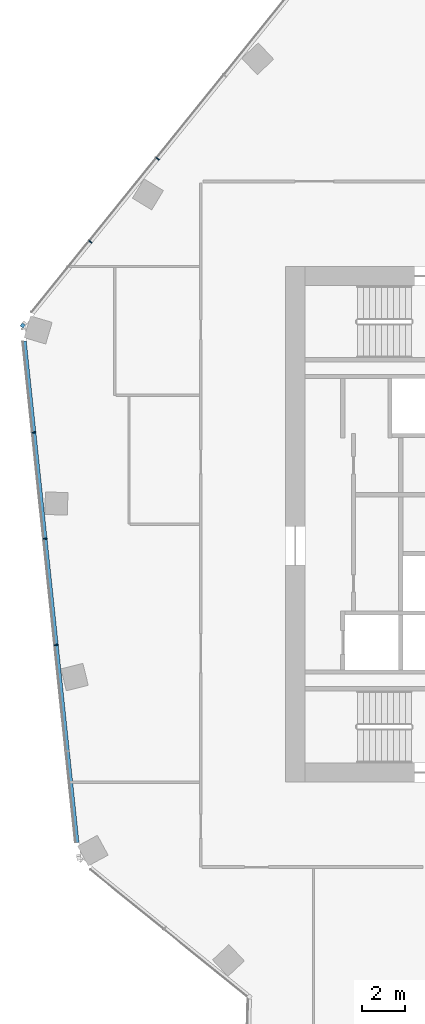
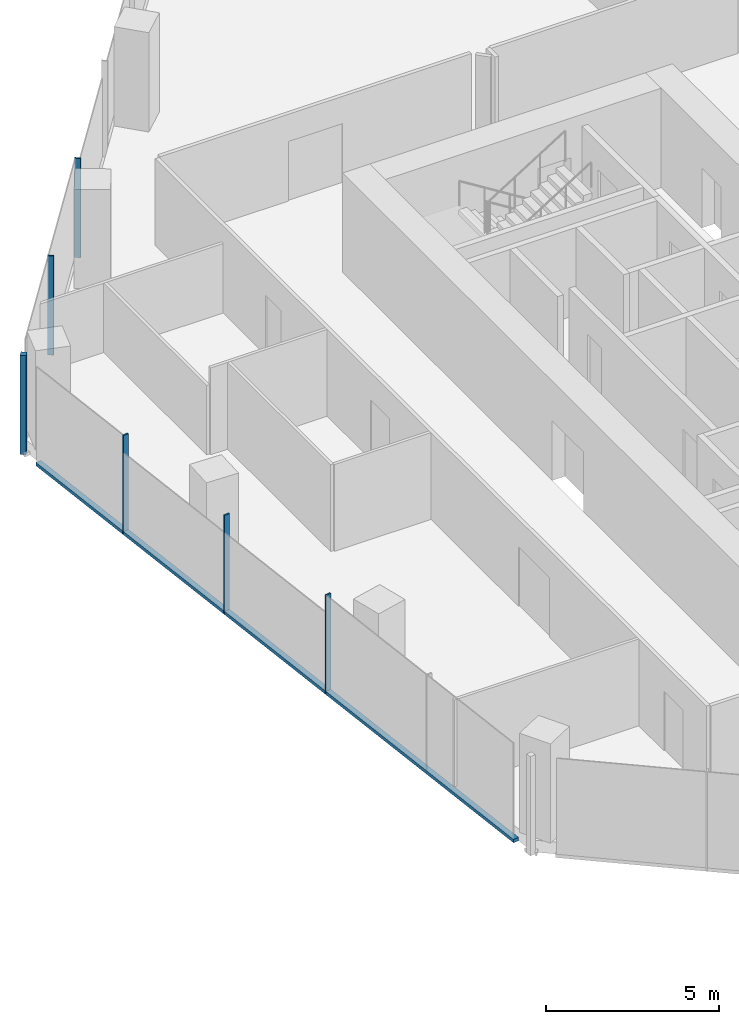
# One storey, part 7 of 23: 7 members, 2 elements without a shape of their own.
"""IFC4 building model written with IfcOpenShell, lengths in metres."""

from ifc_helpers import new_model, si_unit, direction, frame, origin, origin_2d, place, context, subcontext, project, spatial, rectangle, extrude, material, material_profile, profile_set, type_object, element, aggregate, save


model = new_model("IFC4")

# Units and contexts
model_context = context("Model", 3, precision=1e-05, world=origin(), true_north=direction((0.0, 1.0)))
body_context = subcontext(model_context, "Body", "Model", "MODEL_VIEW")
ifc_project = project(units=[si_unit("LENGTHUNIT", "METRE"), si_unit("AREAUNIT", "SQUARE_METRE"), si_unit("VOLUMEUNIT", "CUBIC_METRE"), si_unit("PLANEANGLEUNIT", "RADIAN"), si_unit("MASSUNIT", "GRAM", prefix="KILO")], contexts=[model_context])

# Site, building, storey
site_placement = place(None, origin())
site = spatial("IfcSite", under=ifc_project, at=site_placement, CompositionType="ELEMENT")
building_placement = place(site_placement, origin())
building = spatial("IfcBuilding", under=site, at=building_placement, Name="Orlundy Tower", CompositionType="ELEMENT")
storey_placement = place(building_placement, frame((0.0, 0.0, 224.5)))
storey = spatial("IfcBuildingStorey", under=building, at=storey_placement, Name="L59", CompositionType="ELEMENT", Elevation=224.5)

# Curtain wall, member
ifc_material_1 = material(Name="Aluminium bronze anodised", Category="aluminium")
curtain_wall_type = type_object("IfcCurtainWallType", Name="CW1 wall", PredefinedType="NOTDEFINED", material=ifc_material_1)
curtain_wall_1_placement = place(storey_placement, origin())
curtain_wall_1 = element("IfcCurtainWall", 1, at=curtain_wall_1_placement, inside=storey, type_object=curtain_wall_type, Name="CW1 run 03", PredefinedType="NOTDEFINED")
ifc_material_2 = material(Name="Aluminium bronze anodised", Category="aluminium")
ifc_material_profile_1 = material_profile(ifc_material_2, rectangle(XDim=0.179931640625, YDim=0.179931640625, at=origin_2d()), Name="CW1 corner post 180x180")
ifc_profile_set_1 = profile_set([ifc_material_profile_1], Name="Aluminium bronze anodised")
member_type_1 = type_object("IfcMemberType", Name="CW1 corner post 180x180", PredefinedType="MULLION", material=ifc_profile_set_1)
member_1_placement = place(storey_placement, frame((-31.228515625, 9.249755859375, -0.419921875), z_axis=(0.0, 0.0, 1.0), x_axis=(-0.777145540374, 0.629320911043, 0.0)))
member_1 = element("IfcMember", 2, at=member_1_placement, type_object=member_type_1, Name="CW1 mullion 10", PredefinedType="MULLION", context=body_context, shape_type="SweptSolid", body=[
    extrude(rectangle(XDim=0.179931640625, YDim=0.179931640625, at=origin_2d()), origin(), (0.0, 0.0, 1.0), 3.5),
])

# Curtain wall, members
curtain_wall_2_placement = place(storey_placement, origin())
curtain_wall_2 = element("IfcCurtainWall", 3, at=curtain_wall_2_placement, inside=storey, type_object=curtain_wall_type, Name="CW1 run 02", PredefinedType="NOTDEFINED")
ifc_material_3 = material(Name="Aluminium bronze anodised", Category="aluminium")
ifc_material_profile_2 = material_profile(ifc_material_3, rectangle(XDim=0.179931640625, YDim=0.050048828125, at=origin_2d()), Name="CW1 mullion 50x180")
ifc_profile_set_2 = profile_set([ifc_material_profile_2], Name="Aluminium bronze anodised")
member_type_2 = type_object("IfcMemberType", Name="CW1 mullion 50x180", PredefinedType="MULLION", material=ifc_profile_set_2)
member_2_placement = place(storey_placement, frame((-29.665771484375, -5.616943359375, -0.419921875), z_axis=(0.0, 0.0, 1.0), x_axis=(-0.994520875843, -0.104538162943, 0.0)))
member_2 = element("IfcMember", 4, at=member_2_placement, type_object=member_type_2, Name="CW1 mullion 7", PredefinedType="MULLION", context=body_context, shape_type="SweptSolid", body=[
    extrude(rectangle(XDim=0.179931640625, YDim=0.050048828125, at=origin_2d()), origin(), (0.0, 0.0, 1.0), 3.5),
])
member_3_placement = place(storey_placement, frame((-30.185302734375, -0.673828125, -0.419921875), z_axis=(0.0, 0.0, 1.0), x_axis=(-0.994520875843, -0.104538162943, 0.0)))
member_3 = element("IfcMember", 5, at=member_3_placement, type_object=member_type_2, Name="CW1 mullion 8", PredefinedType="MULLION", context=body_context, shape_type="SweptSolid", body=[
    extrude(rectangle(XDim=0.179931640625, YDim=0.050048828125, at=origin_2d()), origin(), (0.0, 0.0, 1.0), 3.5),
])
member_4_placement = place(storey_placement, frame((-30.704833984375, 4.269287109375, -0.419921875), z_axis=(0.0, 0.0, 1.0), x_axis=(-0.994520875843, -0.104538162943, 0.0)))
member_4 = element("IfcMember", 6, at=member_4_placement, type_object=member_type_2, Name="CW1 mullion 9", PredefinedType="MULLION", context=body_context, shape_type="SweptSolid", body=[
    extrude(rectangle(XDim=0.179931640625, YDim=0.050048828125, at=origin_2d()), origin(), (0.0, 0.0, 1.0), 3.5),
])

# Member
member_5_placement = place(storey_placement, frame((-28.07666015625, 13.1416015625, -0.419921875), z_axis=(0.0, 0.0, 1.0), x_axis=(-0.777145540374, 0.629320911043, 0.0)))
member_5 = element("IfcMember", 7, at=member_5_placement, type_object=member_type_2, Name="CW1 mullion 11", PredefinedType="MULLION", context=body_context, shape_type="SweptSolid", body=[
    extrude(rectangle(XDim=0.179931640625, YDim=0.050048828125, at=origin_2d()), origin(), (0.0, 0.0, 1.0), 3.5),
])

member_6_placement = place(storey_placement, frame((-24.948486328125, 17.004638671875, -0.419921875), z_axis=(0.0, 0.0, 1.0), x_axis=(-0.777145540374, 0.629320911043, 0.0)))
member_6 = element("IfcMember", 8, at=member_6_placement, type_object=member_type_2, Name="CW1 mullion 12", PredefinedType="MULLION", context=body_context, shape_type="SweptSolid", body=[
    extrude(rectangle(XDim=0.179931640625, YDim=0.050048828125, at=origin_2d()), origin(), (0.0, 0.0, 1.0), 3.5),
])

aggregate(curtain_wall_1, [member_1, member_5, member_6])

ifc_material_4 = material(Name="Aluminium bronze anodised", Category="aluminium")
ifc_material_profile_3 = material_profile(ifc_material_4, rectangle(XDim=0.179931640625, YDim=0.1201171875, at=origin_2d()), Name="CW1 transom 180x120")
ifc_profile_set_3 = profile_set([ifc_material_profile_3], Name="Aluminium bronze anodised")
member_type_3 = type_object("IfcMemberType", Name="CW1 transom 180x120", PredefinedType="USERDEFINED", material=ifc_profile_set_3)
member_7_placement = place(storey_placement, frame((-28.698974609375, -14.81396484375, -0.360107421875), z_axis=(-0.10453855847, 0.994520834268, 0.0), x_axis=(-0.994520834268, -0.10453855847, 0.0)))
member_7 = element("IfcMember", 9, at=member_7_placement, type_object=member_type_3, Name="CW1 transom", ObjectType="TRANSOM", PredefinedType="USERDEFINED", context=body_context, shape_type="SweptSolid", body=[
    extrude(rectangle(XDim=0.179931640625, YDim=0.1201171875, at=origin_2d()), origin(), (0.0, 0.0, 1.0), 23.46630859375),
])

aggregate(curtain_wall_2, [member_2, member_3, member_4, member_7])

save(model, "model.ifc")
